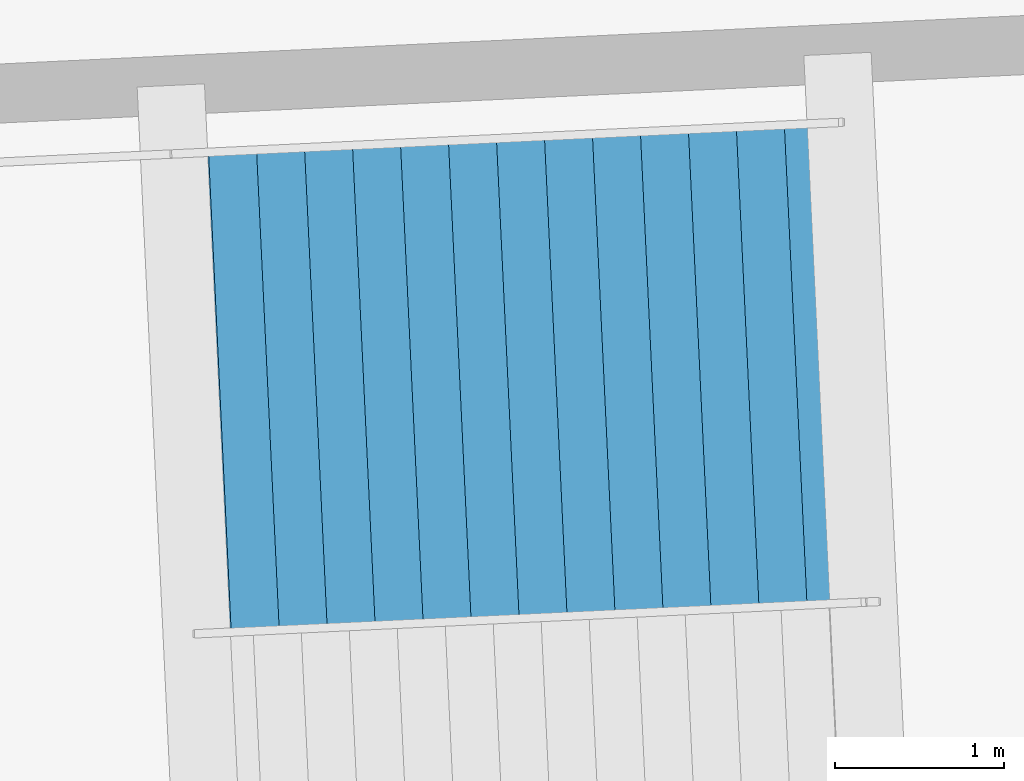
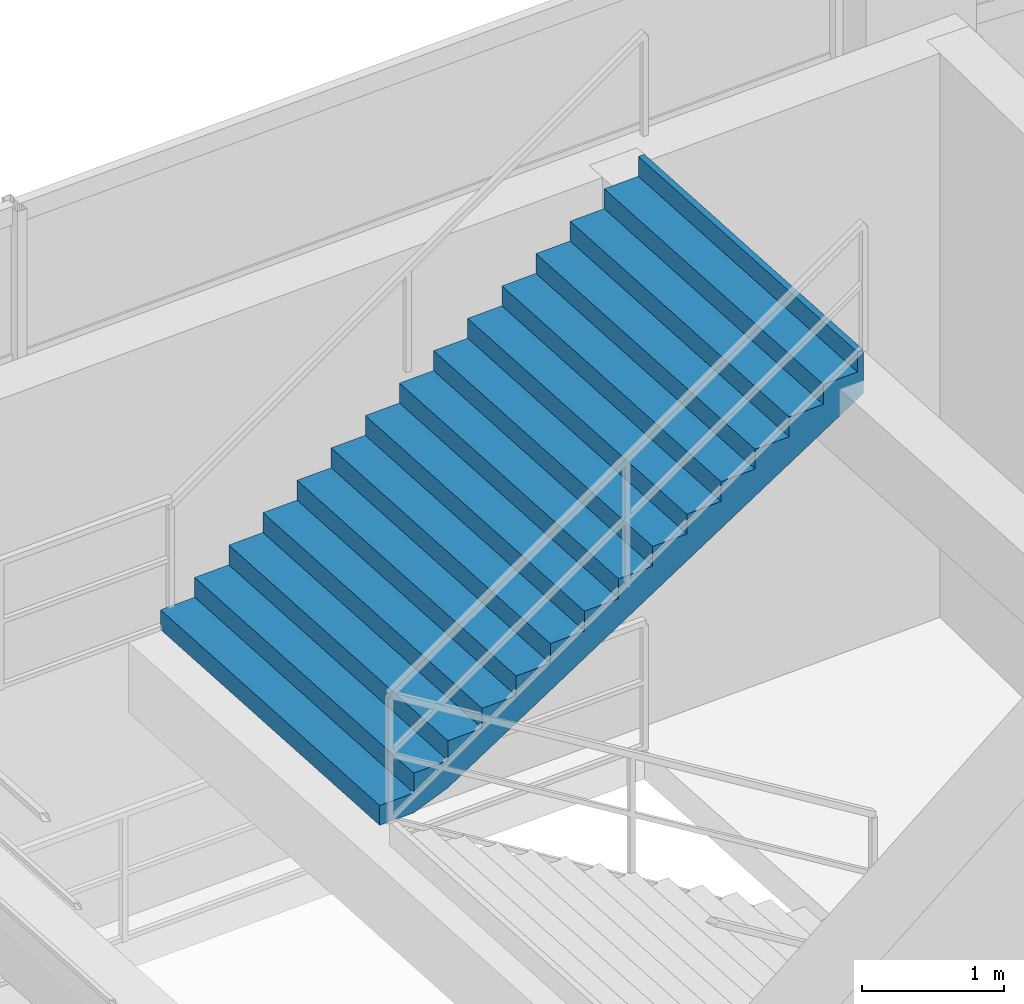
# One storey, part 172 of 184: 1 stair flight, 1 element without a shape of its own.
"""IFC4 building model written with IfcOpenShell, lengths in metres."""

from ifc_helpers import new_model, si_unit, direction, frame, origin, place, context, subcontext, project, spatial, polygons, material, type_object, element, aggregate, save


model = new_model("IFC4")

# Units and contexts
model_context = context("Model", 3, precision=1e-05, world=origin(), true_north=direction((0.0, 1.0)))
body_context = subcontext(model_context, "Body", "Model", "MODEL_VIEW")
ifc_project = project(units=[si_unit("LENGTHUNIT", "METRE"), si_unit("AREAUNIT", "SQUARE_METRE"), si_unit("VOLUMEUNIT", "CUBIC_METRE"), si_unit("PLANEANGLEUNIT", "RADIAN"), si_unit("MASSUNIT", "GRAM", prefix="KILO")], contexts=[model_context])

# Site, building, storey
site_placement = place(None, origin())
site = spatial("IfcSite", under=ifc_project, at=site_placement, CompositionType="ELEMENT")
building_placement = place(site_placement, origin())
building = spatial("IfcBuilding", under=site, at=building_placement, Name="Kazemori Nagisa Stadium", CompositionType="ELEMENT")
storey_placement = place(building_placement, frame((0.0, 0.0, 10.5400390625)))
storey = spatial("IfcBuildingStorey", under=building, at=storey_placement, Name="L02", CompositionType="ELEMENT", Elevation=10.5400390625)

# Stair, stair flight
ifc_material = material(Name="Concrete C36/45 (Fc36)", Category="concrete")
stair_type = type_object("IfcStairType", Name="Stair_CORE_30", PredefinedType="TWO_STRAIGHT_RUN_STAIR", material=ifc_material)
stair_placement = place(storey_placement, origin())
stair = element("IfcStair", 1, at=stair_placement, inside=storey, type_object=stair_type, Name="Exit stair ST05 L02", PredefinedType="TWO_STRAIGHT_RUN_STAIR")
stair_flight_type = type_object("IfcStairFlightType", Name="Flight_CORE_15", PredefinedType="STRAIGHT", material=ifc_material)
stair_flight_placement = place(storey_placement, frame((115.215087890625, 183.218017578125, 2.550048828125), z_axis=(0.0, 0.0, 1.0), x_axis=(0.99888372663, 0.047236645449, 0.0)))
stair_flight = element("IfcStairFlight", 2, at=stair_flight_placement, type_object=stair_flight_type, Name="Exit stair ST05 L02 flight 2", NumberOfRisers=15, NumberOfTreads=14, PredefinedType="STRAIGHT", RiserHeight=0.17, TreadLength=0.285, context=body_context, shape_type="Tessellation", body=[
    polygons([(0.0, -1.425048828125, 0.0), (0.0, -1.425048828125, 0.169921875), (0.284912109375, -1.425048828125, 0.169921875), (0.284912109375, -1.425048828125, 0.340087890625), (0.570068359375, -1.425048828125, 0.340087890625), (0.570068359375, -1.425048828125, 0.510009765625), (0.85498046875, -1.425048828125, 0.510009765625), (0.85498046875, -1.425048828125, 0.679931640625), (1.139892578125, -1.425048828125, 0.679931640625), (1.139892578125, -1.425048828125, 0.85009765625), (1.425048828125, -1.425048828125, 0.85009765625), (1.425048828125, -1.425048828125, 1.02001953125), (1.7099609375, -1.425048828125, 1.02001953125), (1.7099609375, -1.425048828125, 1.18994140625), (1.9951171875, -1.425048828125, 1.18994140625), (1.9951171875, -1.425048828125, 1.360107421875), (2.280029296875, -1.425048828125, 1.360107421875), (2.280029296875, -1.425048828125, 1.530029296875), (2.56494140625, -1.425048828125, 1.530029296875), (2.56494140625, -1.425048828125, 1.699951171875), (2.85009765625, -1.425048828125, 1.699951171875), (2.85009765625, -1.425048828125, 1.8701171875), (3.135009765625, -1.425048828125, 1.8701171875), (3.135009765625, -1.425048828125, 2.0400390625), (3.419921875, -1.425048828125, 2.0400390625), (3.419921875, -1.425048828125, 2.2099609375), (3.705078125, -1.425048828125, 2.2099609375), (3.705078125, -1.425048828125, 2.3798828125), (3.989990234375, -1.425048828125, 2.3798828125), (3.989990234375, -1.425048828125, 2.550048828125), (4.0400390625, -1.425048828125, 2.550048828125), (4.0400390625, -1.425048828125, 2.177001953125), (3.989990234375, -1.425048828125, 2.147216796875), (3.705078125, -1.425048828125, 1.977294921875), (3.419921875, -1.425048828125, 1.80712890625), (3.135009765625, -1.425048828125, 1.63720703125), (2.85009765625, -1.425048828125, 1.46728515625), (2.56494140625, -1.425048828125, 1.297119140625), (2.280029296875, -1.425048828125, 1.127197265625), (1.9951171875, -1.425048828125, 0.957275390625), (1.7099609375, -1.425048828125, 0.787109375), (1.425048828125, -1.425048828125, 0.6171875), (1.139892578125, -1.425048828125, 0.447265625), (0.85498046875, -1.425048828125, 0.277099609375), (0.570068359375, -1.425048828125, 0.107177734375), (0.284912109375, -1.425048828125, 0.0), (0.0, -0.08544921875, 0.0), (0.0, -0.08544921875, 0.169921875), (0.284912109375, -0.08544921875, 0.169921875), (0.284912109375, -0.08544921875, 0.340087890625), (0.570068359375, -0.08544921875, 0.340087890625), (0.570068359375, -0.08544921875, 0.510009765625), (0.85498046875, -0.08544921875, 0.510009765625), (0.85498046875, -0.08544921875, 0.679931640625), (1.139892578125, -0.08544921875, 0.679931640625), (1.139892578125, -0.08544921875, 0.85009765625), (1.425048828125, -0.08544921875, 0.85009765625), (1.425048828125, -0.08544921875, 1.02001953125), (1.7099609375, -0.08544921875, 1.02001953125), (1.7099609375, -0.08544921875, 1.18994140625), (1.9951171875, -0.08544921875, 1.18994140625), (1.9951171875, -0.08544921875, 1.360107421875), (2.280029296875, -0.08544921875, 1.360107421875), (2.280029296875, -0.08544921875, 1.530029296875), (2.56494140625, -0.08544921875, 1.530029296875), (2.56494140625, -0.08544921875, 1.699951171875), (2.85009765625, -0.08544921875, 1.699951171875), (2.85009765625, -0.08544921875, 1.8701171875), (3.135009765625, -0.08544921875, 1.8701171875), (3.135009765625, -0.08544921875, 2.0400390625), (3.419921875, -0.08544921875, 2.0400390625), (3.419921875, -0.08544921875, 2.2099609375), (3.705078125, -0.08544921875, 2.2099609375), (3.705078125, -0.08544921875, 2.3798828125), (3.989990234375, -0.08544921875, 2.3798828125), (3.989990234375, -0.08544921875, 2.550048828125), (4.0400390625, -0.08544921875, 2.550048828125), (4.0400390625, -0.08544921875, 2.177001953125), (3.989990234375, -0.08544921875, 2.147216796875), (3.705078125, -0.08544921875, 1.977294921875), (3.419921875, -0.08544921875, 1.80712890625), (3.135009765625, -0.08544921875, 1.63720703125), (2.85009765625, -0.08544921875, 1.46728515625), (2.56494140625, -0.08544921875, 1.297119140625), (2.280029296875, -0.08544921875, 1.127197265625), (1.9951171875, -0.08544921875, 0.957275390625), (1.7099609375, -0.08544921875, 0.787109375), (1.425048828125, -0.08544921875, 0.6171875), (1.139892578125, -0.08544921875, 0.447265625), (0.85498046875, -0.08544921875, 0.277099609375), (0.570068359375, -0.08544921875, 0.107177734375), (0.284912109375, -0.08544921875, 0.0), (0.0, 0.0, 0.0), (0.0, 0.0, 0.169921875), (0.284912109375, 0.0, 0.169921875), (0.284912109375, 0.0, 0.340087890625), (0.570068359375, 0.0, 0.340087890625), (0.570068359375, 0.0, 0.510009765625), (0.85498046875, 0.0, 0.510009765625), (0.85498046875, 0.0, 0.679931640625), (1.139892578125, 0.0, 0.679931640625), (1.139892578125, 0.0, 0.85009765625), (1.425048828125, 0.0, 0.85009765625), (1.425048828125, 0.0, 1.02001953125), (1.7099609375, 0.0, 1.02001953125), (1.7099609375, 0.0, 1.18994140625), (1.9951171875, 0.0, 1.18994140625), (1.9951171875, 0.0, 1.360107421875), (2.280029296875, 0.0, 1.360107421875), (2.280029296875, 0.0, 1.530029296875), (2.56494140625, 0.0, 1.530029296875), (2.56494140625, 0.0, 1.699951171875), (2.85009765625, 0.0, 1.699951171875), (2.85009765625, 0.0, 1.8701171875), (3.135009765625, 0.0, 1.8701171875), (3.135009765625, 0.0, 2.0400390625), (3.419921875, 0.0, 2.0400390625), (3.419921875, 0.0, 2.2099609375), (3.705078125, 0.0, 2.2099609375), (3.705078125, 0.0, 2.3798828125), (3.989990234375, 0.0, 2.3798828125), (3.989990234375, 0.0, 2.550048828125), (4.0400390625, 0.0, 2.550048828125), (4.0400390625, 0.0, 2.177001953125), (3.989990234375, 0.0, 2.147216796875), (3.705078125, 0.0, 1.977294921875), (3.419921875, 0.0, 1.80712890625), (3.135009765625, 0.0, 1.63720703125), (2.85009765625, 0.0, 1.46728515625), (2.56494140625, 0.0, 1.297119140625), (2.280029296875, 0.0, 1.127197265625), (1.9951171875, 0.0, 0.957275390625), (1.7099609375, 0.0, 0.787109375), (1.425048828125, 0.0, 0.6171875), (1.139892578125, 0.0, 0.447265625), (0.85498046875, 0.0, 0.277099609375), (0.570068359375, 0.0, 0.107177734375), (0.284912109375, 0.0, 0.0), (0.0, 0.08544921875, 0.0), (0.0, 0.08544921875, 0.169921875), (0.284912109375, 0.08544921875, 0.169921875), (0.284912109375, 0.08544921875, 0.340087890625), (0.570068359375, 0.08544921875, 0.340087890625), (0.570068359375, 0.08544921875, 0.510009765625), (0.85498046875, 0.08544921875, 0.510009765625), (0.85498046875, 0.08544921875, 0.679931640625), (1.139892578125, 0.08544921875, 0.679931640625), (1.139892578125, 0.08544921875, 0.85009765625), (1.425048828125, 0.08544921875, 0.85009765625), (1.425048828125, 0.08544921875, 1.02001953125), (1.7099609375, 0.08544921875, 1.02001953125), (1.7099609375, 0.08544921875, 1.18994140625), (1.9951171875, 0.08544921875, 1.18994140625), (1.9951171875, 0.08544921875, 1.360107421875), (2.280029296875, 0.08544921875, 1.360107421875), (2.280029296875, 0.08544921875, 1.530029296875), (2.56494140625, 0.08544921875, 1.530029296875), (2.56494140625, 0.08544921875, 1.699951171875), (2.85009765625, 0.08544921875, 1.699951171875), (2.85009765625, 0.08544921875, 1.8701171875), (3.135009765625, 0.08544921875, 1.8701171875), (3.135009765625, 0.08544921875, 2.0400390625), (3.419921875, 0.08544921875, 2.0400390625), (3.419921875, 0.08544921875, 2.2099609375), (3.705078125, 0.08544921875, 2.2099609375), (3.705078125, 0.08544921875, 2.3798828125), (3.989990234375, 0.08544921875, 2.3798828125), (3.989990234375, 0.08544921875, 2.550048828125), (4.0400390625, 0.08544921875, 2.550048828125), (4.0400390625, 0.08544921875, 2.177001953125), (3.989990234375, 0.08544921875, 2.147216796875), (3.705078125, 0.08544921875, 1.977294921875), (3.419921875, 0.08544921875, 1.80712890625), (3.135009765625, 0.08544921875, 1.63720703125), (2.85009765625, 0.08544921875, 1.46728515625), (2.56494140625, 0.08544921875, 1.297119140625), (2.280029296875, 0.08544921875, 1.127197265625), (1.9951171875, 0.08544921875, 0.957275390625), (1.7099609375, 0.08544921875, 0.787109375), (1.425048828125, 0.08544921875, 0.6171875), (1.139892578125, 0.08544921875, 0.447265625), (0.85498046875, 0.08544921875, 0.277099609375), (0.570068359375, 0.08544921875, 0.107177734375), (0.284912109375, 0.08544921875, 0.0), (0.0, 1.425048828125, 0.0), (0.0, 1.425048828125, 0.169921875), (0.284912109375, 1.425048828125, 0.169921875), (0.284912109375, 1.425048828125, 0.340087890625), (0.570068359375, 1.425048828125, 0.340087890625), (0.570068359375, 1.425048828125, 0.510009765625), (0.85498046875, 1.425048828125, 0.510009765625), (0.85498046875, 1.425048828125, 0.679931640625), (1.139892578125, 1.425048828125, 0.679931640625), (1.139892578125, 1.425048828125, 0.85009765625), (1.425048828125, 1.425048828125, 0.85009765625), (1.425048828125, 1.425048828125, 1.02001953125), (1.7099609375, 1.425048828125, 1.02001953125), (1.7099609375, 1.425048828125, 1.18994140625), (1.9951171875, 1.425048828125, 1.18994140625), (1.9951171875, 1.425048828125, 1.360107421875), (2.280029296875, 1.425048828125, 1.360107421875), (2.280029296875, 1.425048828125, 1.530029296875), (2.56494140625, 1.425048828125, 1.530029296875), (2.56494140625, 1.425048828125, 1.699951171875), (2.85009765625, 1.425048828125, 1.699951171875), (2.85009765625, 1.425048828125, 1.8701171875), (3.135009765625, 1.425048828125, 1.8701171875), (3.135009765625, 1.425048828125, 2.0400390625), (3.419921875, 1.425048828125, 2.0400390625), (3.419921875, 1.425048828125, 2.2099609375), (3.705078125, 1.425048828125, 2.2099609375), (3.705078125, 1.425048828125, 2.3798828125), (3.989990234375, 1.425048828125, 2.3798828125), (3.989990234375, 1.425048828125, 2.550048828125), (4.0400390625, 1.425048828125, 2.550048828125), (4.0400390625, 1.425048828125, 2.177001953125), (3.989990234375, 1.425048828125, 2.147216796875), (3.705078125, 1.425048828125, 1.977294921875), (3.419921875, 1.425048828125, 1.80712890625), (3.135009765625, 1.425048828125, 1.63720703125), (2.85009765625, 1.425048828125, 1.46728515625), (2.56494140625, 1.425048828125, 1.297119140625), (2.280029296875, 1.425048828125, 1.127197265625), (1.9951171875, 1.425048828125, 0.957275390625), (1.7099609375, 1.425048828125, 0.787109375), (1.425048828125, 1.425048828125, 0.6171875), (1.139892578125, 1.425048828125, 0.447265625), (0.85498046875, 1.425048828125, 0.277099609375), (0.570068359375, 1.425048828125, 0.107177734375), (0.284912109375, 1.425048828125, 0.0)], [[[1, 2, 48]], [[1, 48, 47]], [[2, 3, 49]], [[2, 49, 48]], [[3, 4, 50]], [[3, 50, 49]], [[4, 5, 51]], [[4, 51, 50]], [[5, 6, 52]], [[5, 52, 51]], [[6, 7, 53]], [[6, 53, 52]], [[7, 8, 54]], [[7, 54, 53]], [[8, 9, 55]], [[8, 55, 54]], [[9, 10, 56]], [[9, 56, 55]], [[10, 11, 57]], [[10, 57, 56]], [[11, 12, 58]], [[11, 58, 57]], [[12, 13, 59]], [[12, 59, 58]], [[13, 14, 60]], [[13, 60, 59]], [[14, 15, 61]], [[14, 61, 60]], [[15, 16, 62]], [[15, 62, 61]], [[16, 17, 63]], [[16, 63, 62]], [[17, 18, 64]], [[17, 64, 63]], [[18, 19, 65]], [[18, 65, 64]], [[19, 20, 66]], [[19, 66, 65]], [[20, 21, 67]], [[20, 67, 66]], [[21, 22, 68]], [[21, 68, 67]], [[22, 23, 69]], [[22, 69, 68]], [[23, 24, 70]], [[23, 70, 69]], [[24, 25, 71]], [[24, 71, 70]], [[25, 26, 72]], [[25, 72, 71]], [[26, 27, 73]], [[26, 73, 72]], [[27, 28, 74]], [[27, 74, 73]], [[28, 29, 75]], [[28, 75, 74]], [[29, 30, 76]], [[29, 76, 75]], [[30, 31, 77]], [[30, 77, 76]], [[31, 32, 78]], [[31, 78, 77]], [[32, 33, 79]], [[32, 79, 78]], [[33, 34, 80]], [[33, 80, 79]], [[34, 35, 81]], [[34, 81, 80]], [[35, 36, 82]], [[35, 82, 81]], [[36, 37, 83]], [[36, 83, 82]], [[37, 38, 84]], [[37, 84, 83]], [[38, 39, 85]], [[38, 85, 84]], [[39, 40, 86]], [[39, 86, 85]], [[40, 41, 87]], [[40, 87, 86]], [[41, 42, 88]], [[41, 88, 87]], [[42, 43, 89]], [[42, 89, 88]], [[43, 44, 90]], [[43, 90, 89]], [[44, 45, 91]], [[44, 91, 90]], [[45, 46, 92]], [[45, 92, 91]], [[46, 1, 47]], [[46, 47, 92]], [[47, 48, 94]], [[47, 94, 93]], [[48, 49, 95]], [[48, 95, 94]], [[49, 50, 96]], [[49, 96, 95]], [[50, 51, 97]], [[50, 97, 96]], [[51, 52, 98]], [[51, 98, 97]], [[52, 53, 99]], [[52, 99, 98]], [[53, 54, 100]], [[53, 100, 99]], [[54, 55, 101]], [[54, 101, 100]], [[55, 56, 102]], [[55, 102, 101]], [[56, 57, 103]], [[56, 103, 102]], [[57, 58, 104]], [[57, 104, 103]], [[58, 59, 105]], [[58, 105, 104]], [[59, 60, 106]], [[59, 106, 105]], [[60, 61, 107]], [[60, 107, 106]], [[61, 62, 108]], [[61, 108, 107]], [[62, 63, 109]], [[62, 109, 108]], [[63, 64, 110]], [[63, 110, 109]], [[64, 65, 111]], [[64, 111, 110]], [[65, 66, 112]], [[65, 112, 111]], [[66, 67, 113]], [[66, 113, 112]], [[67, 68, 114]], [[67, 114, 113]], [[68, 69, 115]], [[68, 115, 114]], [[69, 70, 116]], [[69, 116, 115]], [[70, 71, 117]], [[70, 117, 116]], [[71, 72, 118]], [[71, 118, 117]], [[72, 73, 119]], [[72, 119, 118]], [[73, 74, 120]], [[73, 120, 119]], [[74, 75, 121]], [[74, 121, 120]], [[75, 76, 122]], [[75, 122, 121]], [[76, 77, 123]], [[76, 123, 122]], [[77, 78, 124]], [[77, 124, 123]], [[78, 79, 125]], [[78, 125, 124]], [[79, 80, 126]], [[79, 126, 125]], [[80, 81, 127]], [[80, 127, 126]], [[81, 82, 128]], [[81, 128, 127]], [[82, 83, 129]], [[82, 129, 128]], [[83, 84, 130]], [[83, 130, 129]], [[84, 85, 131]], [[84, 131, 130]], [[85, 86, 132]], [[85, 132, 131]], [[86, 87, 133]], [[86, 133, 132]], [[87, 88, 134]], [[87, 134, 133]], [[88, 89, 135]], [[88, 135, 134]], [[89, 90, 136]], [[89, 136, 135]], [[90, 91, 137]], [[90, 137, 136]], [[91, 92, 138]], [[91, 138, 137]], [[92, 47, 93]], [[92, 93, 138]], [[93, 94, 140]], [[93, 140, 139]], [[94, 95, 141]], [[94, 141, 140]], [[95, 96, 142]], [[95, 142, 141]], [[96, 97, 143]], [[96, 143, 142]], [[97, 98, 144]], [[97, 144, 143]], [[98, 99, 145]], [[98, 145, 144]], [[99, 100, 146]], [[99, 146, 145]], [[100, 101, 147]], [[100, 147, 146]], [[101, 102, 148]], [[101, 148, 147]], [[102, 103, 149]], [[102, 149, 148]], [[103, 104, 150]], [[103, 150, 149]], [[104, 105, 151]], [[104, 151, 150]], [[105, 106, 152]], [[105, 152, 151]], [[106, 107, 153]], [[106, 153, 152]], [[107, 108, 154]], [[107, 154, 153]], [[108, 109, 155]], [[108, 155, 154]], [[109, 110, 156]], [[109, 156, 155]], [[110, 111, 157]], [[110, 157, 156]], [[111, 112, 158]], [[111, 158, 157]], [[112, 113, 159]], [[112, 159, 158]], [[113, 114, 160]], [[113, 160, 159]], [[114, 115, 161]], [[114, 161, 160]], [[115, 116, 162]], [[115, 162, 161]], [[116, 117, 163]], [[116, 163, 162]], [[117, 118, 164]], [[117, 164, 163]], [[118, 119, 165]], [[118, 165, 164]], [[119, 120, 166]], [[119, 166, 165]], [[120, 121, 167]], [[120, 167, 166]], [[121, 122, 168]], [[121, 168, 167]], [[122, 123, 169]], [[122, 169, 168]], [[123, 124, 170]], [[123, 170, 169]], [[124, 125, 171]], [[124, 171, 170]], [[125, 126, 172]], [[125, 172, 171]], [[126, 127, 173]], [[126, 173, 172]], [[127, 128, 174]], [[127, 174, 173]], [[128, 129, 175]], [[128, 175, 174]], [[129, 130, 176]], [[129, 176, 175]], [[130, 131, 177]], [[130, 177, 176]], [[131, 132, 178]], [[131, 178, 177]], [[132, 133, 179]], [[132, 179, 178]], [[133, 134, 180]], [[133, 180, 179]], [[134, 135, 181]], [[134, 181, 180]], [[135, 136, 182]], [[135, 182, 181]], [[136, 137, 183]], [[136, 183, 182]], [[137, 138, 184]], [[137, 184, 183]], [[138, 93, 139]], [[138, 139, 184]], [[139, 140, 186]], [[139, 186, 185]], [[140, 141, 187]], [[140, 187, 186]], [[141, 142, 188]], [[141, 188, 187]], [[142, 143, 189]], [[142, 189, 188]], [[143, 144, 190]], [[143, 190, 189]], [[144, 145, 191]], [[144, 191, 190]], [[145, 146, 192]], [[145, 192, 191]], [[146, 147, 193]], [[146, 193, 192]], [[147, 148, 194]], [[147, 194, 193]], [[148, 149, 195]], [[148, 195, 194]], [[149, 150, 196]], [[149, 196, 195]], [[150, 151, 197]], [[150, 197, 196]], [[151, 152, 198]], [[151, 198, 197]], [[152, 153, 199]], [[152, 199, 198]], [[153, 154, 200]], [[153, 200, 199]], [[154, 155, 201]], [[154, 201, 200]], [[155, 156, 202]], [[155, 202, 201]], [[156, 157, 203]], [[156, 203, 202]], [[157, 158, 204]], [[157, 204, 203]], [[158, 159, 205]], [[158, 205, 204]], [[159, 160, 206]], [[159, 206, 205]], [[160, 161, 207]], [[160, 207, 206]], [[161, 162, 208]], [[161, 208, 207]], [[162, 163, 209]], [[162, 209, 208]], [[163, 164, 210]], [[163, 210, 209]], [[164, 165, 211]], [[164, 211, 210]], [[165, 166, 212]], [[165, 212, 211]], [[166, 167, 213]], [[166, 213, 212]], [[167, 168, 214]], [[167, 214, 213]], [[168, 169, 215]], [[168, 215, 214]], [[169, 170, 216]], [[169, 216, 215]], [[170, 171, 217]], [[170, 217, 216]], [[171, 172, 218]], [[171, 218, 217]], [[172, 173, 219]], [[172, 219, 218]], [[173, 174, 220]], [[173, 220, 219]], [[174, 175, 221]], [[174, 221, 220]], [[175, 176, 222]], [[175, 222, 221]], [[176, 177, 223]], [[176, 223, 222]], [[177, 178, 224]], [[177, 224, 223]], [[178, 179, 225]], [[178, 225, 224]], [[179, 180, 226]], [[179, 226, 225]], [[180, 181, 227]], [[180, 227, 226]], [[181, 182, 228]], [[181, 228, 227]], [[182, 183, 229]], [[182, 229, 228]], [[183, 184, 230]], [[183, 230, 229]], [[184, 139, 185]], [[184, 185, 230]], [[3, 2, 1]], [[185, 186, 187]], [[46, 3, 1]], [[185, 187, 230]], [[45, 3, 46]], [[230, 187, 229]], [[5, 3, 45]], [[229, 187, 189]], [[5, 4, 3]], [[187, 188, 189]], [[44, 5, 45]], [[229, 189, 228]], [[7, 5, 44]], [[228, 189, 191]], [[7, 6, 5]], [[189, 190, 191]], [[43, 7, 44]], [[228, 191, 227]], [[9, 7, 43]], [[227, 191, 193]], [[9, 8, 7]], [[191, 192, 193]], [[42, 9, 43]], [[227, 193, 226]], [[11, 9, 42]], [[226, 193, 195]], [[11, 10, 9]], [[193, 194, 195]], [[41, 11, 42]], [[226, 195, 225]], [[13, 11, 41]], [[225, 195, 197]], [[13, 12, 11]], [[195, 196, 197]], [[40, 13, 41]], [[225, 197, 224]], [[15, 13, 40]], [[224, 197, 199]], [[15, 14, 13]], [[197, 198, 199]], [[39, 15, 40]], [[224, 199, 223]], [[17, 15, 39]], [[223, 199, 201]], [[17, 16, 15]], [[199, 200, 201]], [[38, 17, 39]], [[223, 201, 222]], [[19, 17, 38]], [[222, 201, 203]], [[19, 18, 17]], [[201, 202, 203]], [[37, 19, 38]], [[222, 203, 221]], [[21, 19, 37]], [[221, 203, 205]], [[21, 20, 19]], [[203, 204, 205]], [[36, 21, 37]], [[221, 205, 220]], [[23, 21, 36]], [[220, 205, 207]], [[23, 22, 21]], [[205, 206, 207]], [[35, 23, 36]], [[220, 207, 219]], [[25, 23, 35]], [[219, 207, 209]], [[25, 24, 23]], [[207, 208, 209]], [[34, 25, 35]], [[219, 209, 218]], [[27, 25, 34]], [[218, 209, 211]], [[27, 26, 25]], [[209, 210, 211]], [[33, 27, 34]], [[218, 211, 217]], [[29, 27, 33]], [[217, 211, 213]], [[29, 28, 27]], [[211, 212, 213]], [[32, 29, 33]], [[217, 213, 216]], [[31, 29, 32]], [[216, 213, 215]], [[31, 30, 29]], [[213, 214, 215]]], closed=True),
])
aggregate(stair, [stair_flight])

save(model, "model.ifc")
